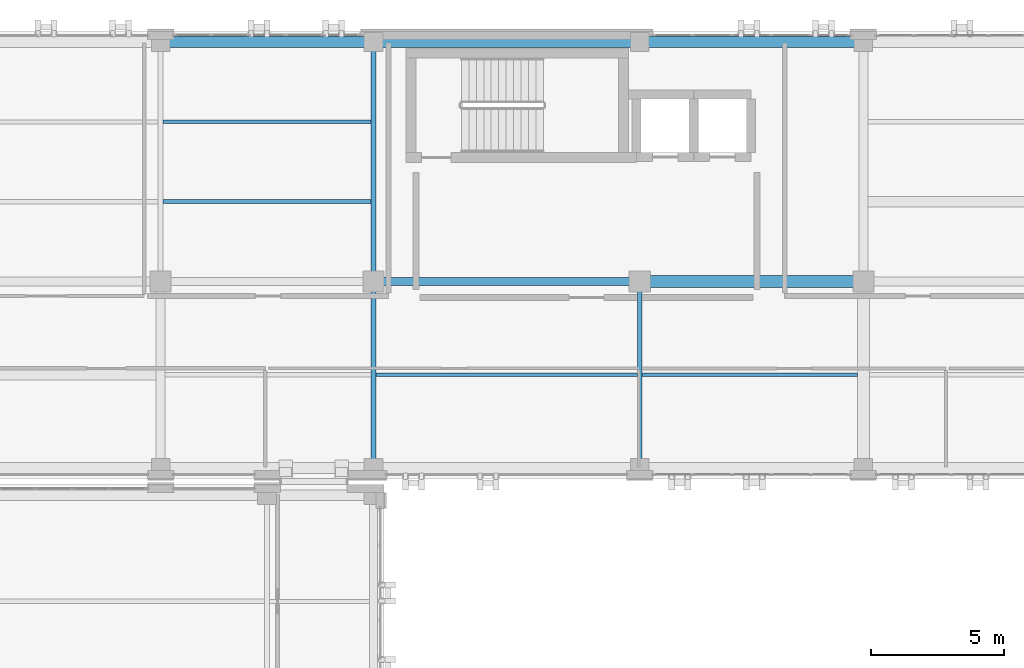
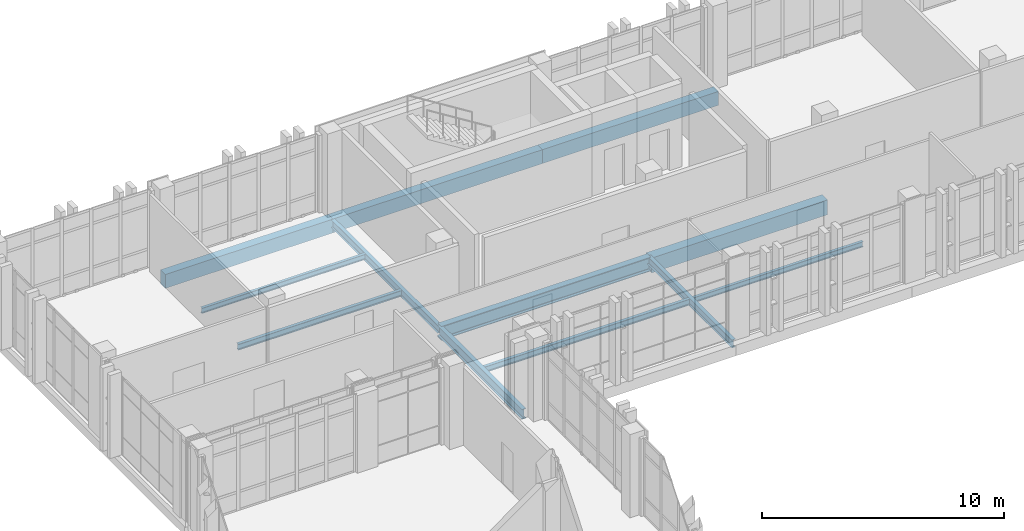
# One storey, part 92 of 193: 12 beams.
"""IFC4 building model written with IfcOpenShell, lengths in metres."""

from ifc_helpers import new_model, si_unit, direction, frame, origin, origin_2d, place, context, subcontext, project, spatial, rectangle, i_section, extrude, material, material_profile, profile_set, type_object, element, save


model = new_model("IFC4")

# Units and contexts
model_context = context("Model", 3, precision=1e-05, world=origin(), true_north=direction((0.0, 1.0)))
body_context = subcontext(model_context, "Body", "Model", "MODEL_VIEW")
ifc_project = project(units=[si_unit("LENGTHUNIT", "METRE"), si_unit("AREAUNIT", "SQUARE_METRE"), si_unit("VOLUMEUNIT", "CUBIC_METRE"), si_unit("PLANEANGLEUNIT", "RADIAN"), si_unit("MASSUNIT", "GRAM", prefix="KILO")], contexts=[model_context])

# Site, building, storey
site_placement = place(None, origin())
site = spatial("IfcSite", under=ifc_project, at=site_placement, CompositionType="ELEMENT")
building_placement = place(site_placement, origin())
building = spatial("IfcBuilding", under=site, at=building_placement, Name="Qalavern Law Courts", CompositionType="ELEMENT")
storey_placement = place(building_placement, frame((0.0, 0.0, 10.199951171875)))
storey = spatial("IfcBuildingStorey", under=building, at=storey_placement, Name="L02", CompositionType="ELEMENT", Elevation=10.199951171875)

# Beams
ifc_material_1 = material(Name="Steel S355", Category="steel")
ifc_material_profile_1 = material_profile(ifc_material_1, i_section(OverallWidth=0.300048828125, OverallDepth=0.699951171875, WebThickness=0.01708984375, FlangeThickness=0.031982421875, FilletRadius=0.027099609375, at=origin_2d()), Name="HEB 700")
ifc_profile_set_1 = profile_set([ifc_material_profile_1], Name="Steel S355")
beam_type_1 = type_object("IfcBeamType", Name="STR-BM-HEB700", PredefinedType="BEAM", material=ifc_profile_set_1)
beam_1_placement = place(storey_placement, frame((18.39990234375, 103.60009765625, -0.639892578125), z_axis=(1.0, 0.0, 0.0), x_axis=(0.0, 1.0, 0.0)))
element("IfcBeam", 1, at=beam_1_placement, inside=storey, type_object=beam_type_1, Name="V5 X-beam 2-3 L02", PredefinedType="BEAM", context=body_context, shape_type="SweptSolid", body=[
    extrude(i_section(OverallWidth=0.300048828125, OverallDepth=0.699951171875, WebThickness=0.01708984375, FlangeThickness=0.031982421875, FilletRadius=0.027099609375, at=origin_2d()), origin(), (0.0, 0.0, 1.0), 10.0),
])
ifc_material_profile_2 = material_profile(ifc_material_1, i_section(OverallWidth=0.179931640625, OverallDepth=0.39990234375, WebThickness=0.008544921875, FlangeThickness=0.013427734375, FilletRadius=0.02099609375, at=origin_2d()), Name="IPE 400")
ifc_profile_set_2 = profile_set([ifc_material_profile_2], Name="Steel S355")
beam_type_2 = type_object("IfcBeamType", Name="STR-BM-IPE400", PredefinedType="BEAM", material=ifc_profile_set_2)
beam_2_placement = place(storey_placement, frame((18.39990234375, 103.60009765625, -0.489990234375), z_axis=(0.0, 1.0, 0.0), x_axis=(-1.0, 0.0, 0.0)))
element("IfcBeam", 2, at=beam_2_placement, inside=storey, type_object=beam_type_2, Name="V5 Y-beam 3-2 L02", PredefinedType="BEAM", context=body_context, shape_type="SweptSolid", body=[
    extrude(i_section(OverallWidth=0.179931640625, OverallDepth=0.39990234375, WebThickness=0.008544921875, FlangeThickness=0.013427734375, FilletRadius=0.02099609375, at=origin_2d()), origin(), (0.0, 0.0, 1.0), 9.0),
])
beam_3_placement = place(storey_placement, frame((28.39990234375, 96.60009765625, -0.489990234375), z_axis=(0.0, 1.0, 0.0), x_axis=(-1.0, 0.0, 0.0)))
element("IfcBeam", 3, at=beam_3_placement, inside=storey, type_object=beam_type_2, Name="V5 Y-beam 4-1 L02", PredefinedType="BEAM", context=body_context, shape_type="SweptSolid", body=[
    extrude(i_section(OverallWidth=0.179931640625, OverallDepth=0.39990234375, WebThickness=0.008544921875, FlangeThickness=0.013427734375, FilletRadius=0.02099609375, at=origin_2d()), origin(), (0.0, 0.0, 1.0), 7.0),
])
ifc_material_profile_3 = material_profile(ifc_material_1, i_section(OverallWidth=0.199951171875, OverallDepth=0.5, WebThickness=0.01025390625, FlangeThickness=0.01611328125, FilletRadius=0.02099609375, at=origin_2d()), Name="IPE 500")
ifc_profile_set_3 = profile_set([ifc_material_profile_3], Name="Steel S355")
beam_type_3 = type_object("IfcBeamType", Name="STR-BM-IPE500", PredefinedType="BEAM", material=ifc_profile_set_3)
beam_4_placement = place(storey_placement, frame((18.39990234375, 96.60009765625, -0.5400390625), z_axis=(0.0, 1.0, 0.0), x_axis=(-1.0, 0.0, 0.0)))
element("IfcBeam", 4, at=beam_4_placement, inside=storey, type_object=beam_type_3, Name="V5 Y-beam 3-1 L02", PredefinedType="BEAM", context=body_context, shape_type="SweptSolid", body=[
    extrude(i_section(OverallWidth=0.199951171875, OverallDepth=0.5, WebThickness=0.01025390625, FlangeThickness=0.01611328125, FilletRadius=0.02099609375, at=origin_2d()), origin(), (0.0, 0.0, 1.0), 7.0),
])
ifc_material_2 = material(Name="Concrete C40/50", Category="concrete")
ifc_material_profile_4 = material_profile(ifc_material_2, rectangle(XDim=0.449951171875, YDim=0.75, at=origin_2d()), Name="RC 450x750")
ifc_profile_set_4 = profile_set([ifc_material_profile_4], Name="Concrete C40/50")
beam_type_4 = type_object("IfcBeamType", Name="STR-BM-RC450x750", PredefinedType="BEAM", material=ifc_profile_set_4)
beam_5_placement = place(storey_placement, frame((28.39990234375, 103.60009765625, -0.6650390625), z_axis=(1.0, 0.0, 0.0), x_axis=(0.0, 1.0, 0.0)))
element("IfcBeam", 5, at=beam_5_placement, inside=storey, type_object=beam_type_4, Name="V5 X-beam 2-4 L02", PredefinedType="BEAM", context=body_context, shape_type="SweptSolid", body=[
    extrude(rectangle(XDim=0.449951171875, YDim=0.75, at=origin_2d()), origin(), (0.0, 0.0, 1.0), 8.400146484375),
])
ifc_material_profile_5 = material_profile(ifc_material_1, i_section(OverallWidth=0.135009765625, OverallDepth=0.27001953125, WebThickness=0.006591796875, FlangeThickness=0.01025390625, FilletRadius=0.014892578125, at=origin_2d()), Name="IPE 270")
ifc_profile_set_5 = profile_set([ifc_material_profile_5], Name="Steel S355")
beam_type_5 = type_object("IfcBeamType", Name="STR-JST-IPE270", PredefinedType="JOIST", material=ifc_profile_set_5)
beam_6_placement = place(storey_placement, frame((10.498046875, 109.60009765625, -0.425048828125), z_axis=(1.0, 0.0, 0.0), x_axis=(0.0, 1.0, 0.0)))
element("IfcBeam", 6, at=beam_6_placement, inside=storey, type_object=beam_type_5, Name="V5 secondary joist 2.2.2 L02", PredefinedType="JOIST", context=body_context, shape_type="SweptSolid", body=[
    extrude(i_section(OverallWidth=0.135009765625, OverallDepth=0.27001953125, WebThickness=0.006591796875, FlangeThickness=0.01025390625, FilletRadius=0.014892578125, at=origin_2d()), origin(), (0.0, 0.0, 1.0), 7.81396484375),
])
beam_7_placement = place(storey_placement, frame((28.488037109375, 100.10009765625, -0.425048828125), z_axis=(1.0, 0.0, 0.0), x_axis=(0.0, 1.0, 0.0)))
element("IfcBeam", 7, at=beam_7_placement, inside=storey, type_object=beam_type_5, Name="V5 secondary joist 4.1.1 L02", PredefinedType="JOIST", context=body_context, shape_type="SweptSolid", body=[
    extrude(i_section(OverallWidth=0.135009765625, OverallDepth=0.27001953125, WebThickness=0.006591796875, FlangeThickness=0.01025390625, FilletRadius=0.014892578125, at=origin_2d()), origin(), (0.0, 0.0, 1.0), 8.0888671875),
])
ifc_material_profile_6 = material_profile(ifc_material_1, i_section(OverallWidth=0.14990234375, OverallDepth=0.300048828125, WebThickness=0.007080078125, FlangeThickness=0.0107421875, FilletRadius=0.014892578125, at=origin_2d()), Name="IPE 300")
ifc_profile_set_6 = profile_set([ifc_material_profile_6], Name="Steel S355")
beam_type_6 = type_object("IfcBeamType", Name="STR-JST-IPE300", PredefinedType="JOIST", material=ifc_profile_set_6)
beam_8_placement = place(storey_placement, frame((10.498046875, 106.60009765625, -0.43994140625), z_axis=(1.0, 0.0, 0.0), x_axis=(0.0, 1.0, 0.0)))
element("IfcBeam", 8, at=beam_8_placement, inside=storey, type_object=beam_type_6, Name="V5 secondary joist 2.2.1 L02", PredefinedType="JOIST", context=body_context, shape_type="SweptSolid", body=[
    extrude(i_section(OverallWidth=0.14990234375, OverallDepth=0.300048828125, WebThickness=0.007080078125, FlangeThickness=0.0107421875, FilletRadius=0.014892578125, at=origin_2d()), origin(), (0.0, 0.0, 1.0), 7.81396484375),
])
beam_9_placement = place(storey_placement, frame((18.498046875, 100.10009765625, -0.43994140625), z_axis=(1.0, 0.0, 0.0), x_axis=(0.0, 1.0, 0.0)))
element("IfcBeam", 9, at=beam_9_placement, inside=storey, type_object=beam_type_6, Name="V5 secondary joist 3.1.1 L02", PredefinedType="JOIST", context=body_context, shape_type="SweptSolid", body=[
    extrude(i_section(OverallWidth=0.14990234375, OverallDepth=0.300048828125, WebThickness=0.007080078125, FlangeThickness=0.0107421875, FilletRadius=0.014892578125, at=origin_2d()), origin(), (0.0, 0.0, 1.0), 9.81396484375),
])
ifc_material_profile_7 = material_profile(ifc_material_2, rectangle(XDim=0.39990234375, YDim=0.699951171875, at=origin_2d()), Name="RC 400x700")
ifc_profile_set_7 = profile_set([ifc_material_profile_7], Name="Concrete C40/50")
beam_type_7 = type_object("IfcBeamType", Name="STR-SP-RC400x700", PredefinedType="SPANDREL", material=ifc_profile_set_7)
beam_10_placement = place(storey_placement, frame((10.39990234375, 112.60009765625, -0.639892578125), z_axis=(1.0, 0.0, 0.0), x_axis=(0.0, 1.0, 0.0)))
element("IfcBeam", 10, at=beam_10_placement, inside=storey, type_object=beam_type_7, Name="V5 X-beam 3-2 L02", PredefinedType="SPANDREL", context=body_context, shape_type="SweptSolid", body=[
    extrude(rectangle(XDim=0.39990234375, YDim=0.699951171875, at=origin_2d()), origin(), (0.0, 0.0, 1.0), 8.0),
])
beam_11_placement = place(storey_placement, frame((18.39990234375, 112.60009765625, -0.639892578125), z_axis=(1.0, 0.0, 0.0), x_axis=(0.0, 1.0, 0.0)))
element("IfcBeam", 11, at=beam_11_placement, inside=storey, type_object=beam_type_7, Name="V5 X-beam 3-3 L02", PredefinedType="SPANDREL", context=body_context, shape_type="SweptSolid", body=[
    extrude(rectangle(XDim=0.39990234375, YDim=0.699951171875, at=origin_2d()), origin(), (0.0, 0.0, 1.0), 10.0),
])
beam_12_placement = place(storey_placement, frame((28.39990234375, 112.60009765625, -0.639892578125), z_axis=(1.0, 0.0, 0.0), x_axis=(0.0, 1.0, 0.0)))
element("IfcBeam", 12, at=beam_12_placement, inside=storey, type_object=beam_type_7, Name="V5 X-beam 3-4 L02", PredefinedType="SPANDREL", context=body_context, shape_type="SweptSolid", body=[
    extrude(rectangle(XDim=0.39990234375, YDim=0.699951171875, at=origin_2d()), origin(), (0.0, 0.0, 1.0), 8.400146484375),
])

save(model, "model.ifc")
